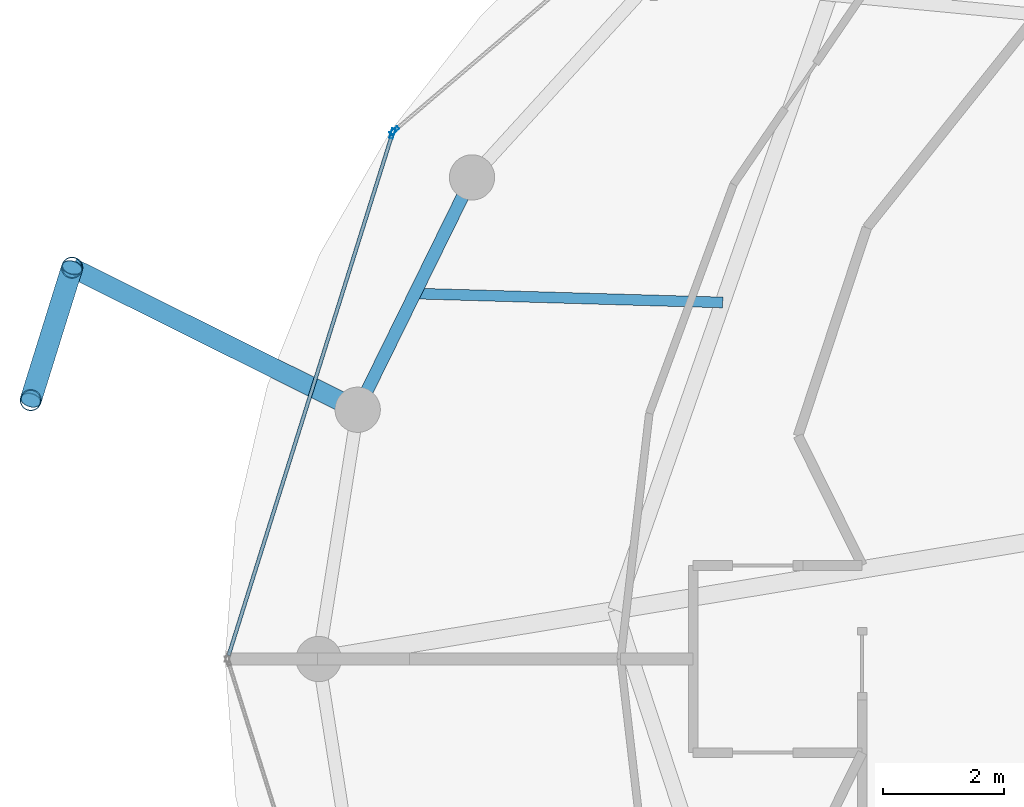
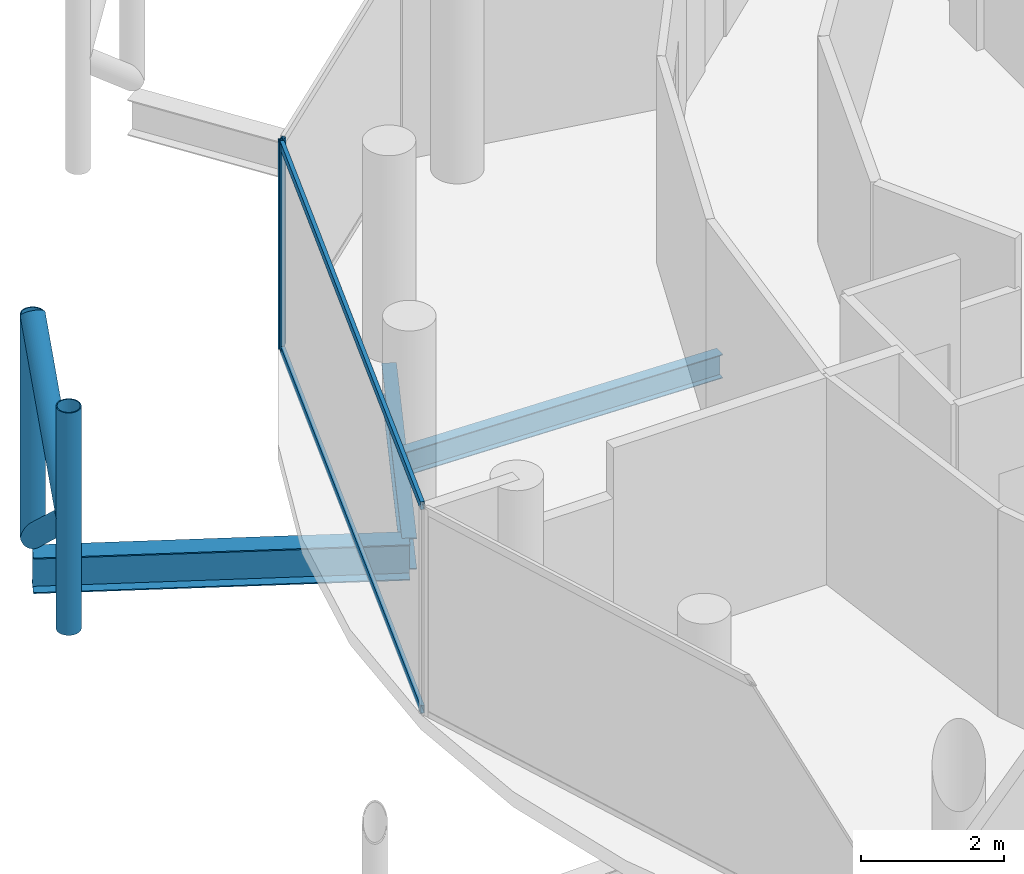
# One storey, part 7 of 24: 8 members, 3 beams, 2 elements without a shape of their own.
"""IFC4 building model written with IfcOpenShell, lengths in metres."""

import ifcopenshell
import ifcopenshell.guid

model = None  # the IFC model being written
_history = None  # IfcOwnerHistory: only IFC2X3 demands one
_inside = {}  # id of a spatial element -> (the spatial element, [elements in it])
_under = {}  # id of a project, library or spatial element -> (it, [spatial elements below it])
_declared = {}  # id of a project -> (the project, [libraries it declares])
_typed = {}  # id of a type object -> (the type object, [elements of that type])
_made_of = {}  # id of a material, layer set ... -> (it, [elements and type objects made of it])


def new_model(schema):
    """Start an empty IFC model of exactly this schema.

    Asked for "IFC4X3", IfcOpenShell would pick the latest addendum, in which some entities
    have other attributes; the version numbers below select the first issue.
    IFC2X3 requires an IfcOwnerHistory on every rooted entity: one is made here for all.
    """
    global model, _history
    if schema == "IFC4X3":
        model = ifcopenshell.file(schema_version=(4, 3, 0, 0))
    else:
        model = ifcopenshell.file(schema=schema)
    _inside.clear()
    _under.clear()
    _declared.clear()
    _typed.clear()
    _made_of.clear()
    _history = None
    if model.schema == "IFC2X3":
        org = make("IfcOrganization", Name="unknown")
        user = make(
            "IfcPersonAndOrganization",
            ThePerson=make("IfcPerson", FamilyName="unknown"),
            TheOrganization=org,
        )
        app = make(
            "IfcApplication",
            ApplicationDeveloper=org,
            Version="unknown",
            ApplicationFullName="unknown",
            ApplicationIdentifier="unknown",
        )
        _history = make(
            "IfcOwnerHistory",
            OwningUser=user,
            OwningApplication=app,
            ChangeAction="ADDED",
            CreationDate=0,
        )
    return model


def make(cls, **values):
    """One entity of the class cls with the attributes given. An attribute that is None is left unset."""
    return model.create_entity(
        cls, **{name: value for name, value in values.items() if value is not None}
    )


def rooted(cls, **values):
    """An entity with a GlobalId (a new one), such as an element, a storey or a relation."""
    return make(cls, GlobalId=ifcopenshell.guid.new(), OwnerHistory=_history, **values)


def si_unit(unit_type, name, prefix=None):
    """IfcSIUnit, for example si_unit("LENGTHUNIT", "METRE", prefix="MILLI")."""
    return make("IfcSIUnit", UnitType=unit_type, Prefix=prefix, Name=name)


def assignment(units):
    """IfcUnitAssignment: the units of a project."""
    return None if units is None else make("IfcUnitAssignment", Units=units)


def point(xyz):
    """IfcCartesianPoint."""
    return None if xyz is None else make("IfcCartesianPoint", Coordinates=xyz)


def direction(xyz):
    """IfcDirection."""
    return None if xyz is None else make("IfcDirection", DirectionRatios=xyz)


def frame(location, z_axis=None, x_axis=None):
    """IfcAxis2Placement3D, a coordinate frame: its origin and axes. An axis left out is left unset."""
    return make(
        "IfcAxis2Placement3D",
        Location=point(location),
        Axis=direction(z_axis),
        RefDirection=direction(x_axis),
    )


def frame_2d(location, x_axis=None):
    """IfcAxis2Placement2D, a coordinate frame in the plane: its origin and x axis."""
    return make(
        "IfcAxis2Placement2D", Location=point(location), RefDirection=direction(x_axis)
    )


def origin():
    """The frame at (0, 0, 0) with its axes left unset."""
    return frame((0.0, 0.0, 0.0))


def origin_2d():
    """The frame at (0, 0) in the plane with its x axis left unset."""
    return frame_2d((0.0, 0.0))


def place(relative_to, where):
    """IfcLocalPlacement: puts the frame where relative to a parent placement (None: the world)."""
    return make(
        "IfcLocalPlacement", PlacementRelTo=relative_to, RelativePlacement=where
    )


def context(
    kind, dimensions, precision=None, world=None, true_north=None, identifier=None
):
    """IfcGeometricRepresentationContext, for example the 3D "Model" context."""
    return make(
        "IfcGeometricRepresentationContext",
        ContextIdentifier=identifier,
        ContextType=kind,
        CoordinateSpaceDimension=dimensions,
        Precision=precision,
        WorldCoordinateSystem=world,
        TrueNorth=true_north,
    )


def subcontext(parent, identifier, kind, view, scale=None):
    """IfcGeometricRepresentationSubContext, for example "Body" below "Model"."""
    return make(
        "IfcGeometricRepresentationSubContext",
        ContextIdentifier=identifier,
        ContextType=kind,
        ParentContext=parent,
        TargetScale=scale,
        TargetView=view,
    )


def project(units=None, contexts=None):
    """IfcProject with its units and contexts."""
    return rooted(
        "IfcProject",
        Name="project",
        RepresentationContexts=contexts,
        UnitsInContext=assignment(units),
    )


def spatial(cls, under=None, at=None, **own):
    """A site, building, storey or space (cls), placed at a placement, below another one or the project."""
    s = rooted(cls, ObjectPlacement=at, **own)
    if under is not None:
        _under.setdefault(under.id(), (under, []))[1].append(s)
    return s


def profile(cls, at=None, kind="AREA", **sizes):
    """A parametric profile (cls). Its sizes go by their IFC names, for example OverallWidth=200.0."""
    return make(cls, ProfileType=kind, Position=at, **sizes)


def hollow_rectangle(**sizes):
    """IfcRectangleHollowProfileDef."""
    return profile("IfcRectangleHollowProfileDef", **sizes)


def hollow_circle(**sizes):
    """IfcCircleHollowProfileDef."""
    return profile("IfcCircleHollowProfileDef", **sizes)


def i_section(**sizes):
    """IfcIShapeProfileDef."""
    return profile("IfcIShapeProfileDef", **sizes)


def extrude(swept, where, along, depth):
    """IfcExtrudedAreaSolid: the profile swept, set in the frame where, extruded along a direction by depth."""
    return make(
        "IfcExtrudedAreaSolid",
        SweptArea=swept,
        Position=where,
        ExtrudedDirection=direction(along),
        Depth=depth,
    )


def shape(context_of_items, identifier, shape_type, items):
    """IfcShapeRepresentation: the items that make up one representation, for example the "Body"."""
    return make(
        "IfcShapeRepresentation",
        ContextOfItems=context_of_items,
        RepresentationIdentifier=identifier,
        RepresentationType=shape_type,
        Items=items,
    )


def material(Name=None, Category=None):
    """IfcMaterial."""
    return make("IfcMaterial", Name=Name, Category=Category)


def layer(
    of_material, thickness, ventilated=None, Name=None, Category=None, Priority=None
):
    """IfcMaterialLayer: one layer of a wall or slab, of a material (None: an air gap)."""
    return make(
        "IfcMaterialLayer",
        Material=of_material,
        LayerThickness=thickness,
        IsVentilated=ventilated,
        Name=Name,
        Category=Category,
        Priority=Priority,
    )


def layer_set(layers, Name=None):
    """IfcMaterialLayerSet."""
    return make("IfcMaterialLayerSet", MaterialLayers=layers, LayerSetName=Name)


def material_profile(
    of_material, cross_section, Name=None, Category=None, Priority=None
):
    """IfcMaterialProfile: a cross section and its material."""
    return make(
        "IfcMaterialProfile",
        Name=Name,
        Material=of_material,
        Profile=cross_section,
        Priority=Priority,
        Category=Category,
    )


def profile_set(profiles, Name=None, composite=None):
    """IfcMaterialProfileSet."""
    return make(
        "IfcMaterialProfileSet",
        Name=Name,
        MaterialProfiles=profiles,
        CompositeProfile=composite,
    )


def made_of(thing, what):
    """Note that an element or type object is made of a material, layer set ...; save() writes the relation."""
    if what is not None:
        _made_of.setdefault(what.id(), (what, []))[1].append(thing)
    return thing


def type_object(cls, material=None, **own):
    """A type object (cls), such as IfcWallType, which elements share."""
    return made_of(rooted(cls, **own), material)


def element(
    cls,
    number,
    at=None,
    inside=None,
    cuts=None,
    type_object=None,
    material=None,
    context=None,
    identifier="Body",
    shape_type=None,
    held_by="IfcProductDefinitionShape",
    body=None,
    shapes=None,
    **own,
):
    """One element of the class cls, such as IfcWall. Its Tag is "e" and its number.

    at: its placement. inside: the storey or other place that contains it. cuts: it is an
    opening in that element (IfcRelVoidsElement). A single representation is given by context,
    identifier, shape_type and body (its items); several are given by shapes. held_by: the class
    of the entity that holds the representations. save() writes the other relations.
    """
    e = rooted(cls, Tag="e%d" % number, ObjectPlacement=at, **own)
    if body is not None:
        shapes = [shape(context, identifier, shape_type, body)]
    if shapes is not None:
        e.Representation = make(held_by, Representations=shapes)
    if inside is not None:
        _inside.setdefault(inside.id(), (inside, []))[1].append(e)
    if cuts is not None:
        rooted(
            "IfcRelVoidsElement", RelatingBuildingElement=cuts, RelatedOpeningElement=e
        )
    if type_object is not None:
        _typed.setdefault(type_object.id(), (type_object, []))[1].append(e)
    return made_of(e, material)


def aggregate(whole, parts):
    """IfcRelAggregates: a whole, such as a stair, and the parts it consists of."""
    return rooted("IfcRelAggregates", RelatingObject=whole, RelatedObjects=parts)


def save(model, path):
    """Write the relations noted so far, then the file.

    IfcRelAggregates (storeys below a building ...), IfcRelContainedInSpatialStructure (elements
    in a storey), IfcRelDefinesByType, IfcRelAssociatesMaterial and IfcRelDeclares: one each for
    every whole, place, type object, material and project.
    """
    for whole, parts in _under.values():
        aggregate(whole, parts)
    for where, things in _inside.values():
        rooted(
            "IfcRelContainedInSpatialStructure",
            RelatedElements=things,
            RelatingStructure=where,
        )
    for kind, things in _typed.values():
        rooted("IfcRelDefinesByType", RelatedObjects=things, RelatingType=kind)
    for what, things in _made_of.values():
        rooted("IfcRelAssociatesMaterial", RelatedObjects=things, RelatingMaterial=what)
    for by, libraries in _declared.values():
        rooted("IfcRelDeclares", RelatingContext=by, RelatedDefinitions=libraries)
    model.write(path)


model = new_model("IFC4")

# Units and contexts
model_context = context("Model", 3, precision=1e-05, world=origin(), true_north=direction((0.0, 1.0)))
body_context = subcontext(model_context, "Body", "Model", "MODEL_VIEW")
ifc_project = project(units=[si_unit("LENGTHUNIT", "METRE"), si_unit("AREAUNIT", "SQUARE_METRE"), si_unit("VOLUMEUNIT", "CUBIC_METRE"), si_unit("PLANEANGLEUNIT", "RADIAN"), si_unit("MASSUNIT", "GRAM", prefix="KILO")], contexts=[model_context])

# Site, building, storey
site_placement = place(None, origin())
site = spatial("IfcSite", under=ifc_project, at=site_placement, CompositionType="ELEMENT")
building_placement = place(site_placement, origin())
building = spatial("IfcBuilding", under=site, at=building_placement, Name="Nuhasar Tower", CompositionType="ELEMENT")
storey_placement = place(building_placement, frame((0.0, 0.0, 293.60009765625)))
storey = spatial("IfcBuildingStorey", under=building, at=storey_placement, Name="L73", CompositionType="ELEMENT", Elevation=293.60009765625)

# Beams
ifc_material_1 = material(Name="Steel S355", Category="steel")
ifc_material_profile_1 = material_profile(ifc_material_1, i_section(OverallWidth=0.177978515625, OverallDepth=0.406005859375, WebThickness=0.0078125, FlangeThickness=0.0126953125, at=origin_2d()), Name="W16X40")
ifc_profile_set_1 = profile_set([ifc_material_profile_1], Name="Steel S355")
beam_type_1 = type_object("IfcBeamType", Name="BM-JST-W16X40", PredefinedType="JOIST", material=ifc_profile_set_1)
beam_1_placement = place(storey_placement, frame((26.739990234375, 32.7041015625, -0.463134765625), z_axis=(-0.999579139243, 0.02900938453, 0.0), x_axis=(-0.02900938453, -0.999579139243, 0.0)))
element("IfcBeam", 1, at=beam_1_placement, inside=storey, type_object=beam_type_1, Name="L73 Secondary Floor Joist 07", PredefinedType="JOIST", context=body_context, shape_type="SweptSolid", body=[
    extrude(i_section(OverallWidth=0.177978515625, OverallDepth=0.406005859375, WebThickness=0.0078125, FlangeThickness=0.0126953125, at=origin_2d()), origin(), (0.0, 0.0, 1.0), 5.10009765625),
])
ifc_material_profile_2 = material_profile(ifc_material_1, i_section(OverallWidth=0.2099609375, OverallDepth=0.537109375, WebThickness=0.010986328125, FlangeThickness=0.017333984375, at=origin_2d()), Name="W21X68")
ifc_profile_set_2 = profile_set([ifc_material_profile_2], Name="Steel S355")
beam_type_2 = type_object("IfcBeamType", Name="BM-RING-W21X68", PredefinedType="SPANDREL", material=ifc_profile_set_2)
beam_2_placement = place(storey_placement, frame((22.589111328125, 34.77490234375, -0.529052734375), z_axis=(-0.441533119295, -0.897244952377, 0.0), x_axis=(0.897244952377, -0.441533119295, 0.0)))
element("IfcBeam", 2, at=beam_2_placement, inside=storey, type_object=beam_type_2, Name="L73 Perimeter Ring Spandrel 11", PredefinedType="SPANDREL", context=body_context, shape_type="SweptSolid", body=[
    extrude(i_section(OverallWidth=0.2099609375, OverallDepth=0.537109375, WebThickness=0.010986328125, FlangeThickness=0.017333984375, at=origin_2d()), origin(), (0.0, 0.0, 1.0), 4.28759765625),
])
ifc_material_profile_3 = material_profile(ifc_material_1, i_section(OverallWidth=0.323974609375, OverallDepth=0.611083984375, WebThickness=0.0126953125, FlangeThickness=0.01904296875, at=origin_2d()), Name="W24X104")
ifc_profile_set_3 = profile_set([ifc_material_profile_3], Name="Steel S355")
beam_type_3 = type_object("IfcBeamType", Name="BM-TIE-W24X104", PredefinedType="BEAM", material=ifc_profile_set_3)
beam_3_placement = place(storey_placement, frame((20.696044921875, 30.927978515625, -0.566162109375), z_axis=(-0.895294451274, 0.445474853969, 0.0), x_axis=(-0.445474853969, -0.895294451274, 0.0)))
element("IfcBeam", 3, at=beam_3_placement, inside=storey, type_object=beam_type_3, Name="L73 Exoskeleton Node Tie Beam 06", PredefinedType="BEAM", context=body_context, shape_type="SweptSolid", body=[
    extrude(i_section(OverallWidth=0.323974609375, OverallDepth=0.611083984375, WebThickness=0.0126953125, FlangeThickness=0.01904296875, at=origin_2d()), origin(), (0.0, 0.0, 1.0), 5.281982421875),
])

# Curtain wall, member
ifc_material_2 = material(Name="Aluminium 6063-T6", Category="aluminium")
ifc_layer = layer(ifc_material_2, 0.18994140625)
ifc_layer_set = layer_set([ifc_layer], Name="Aluminium 6063-T6")
curtain_wall_type = type_object("IfcCurtainWallType", Name="CW-Z4-PEN", PredefinedType="NOTDEFINED", material=ifc_layer_set)
curtain_wall_1_placement = place(storey_placement, origin())
curtain_wall_1 = element("IfcCurtainWall", 4, at=curtain_wall_1_placement, inside=storey, type_object=curtain_wall_type, Name="L73 Unitised Curtain Wall 05", PredefinedType="NOTDEFINED")
ifc_material_profile_4 = material_profile(ifc_material_2, hollow_rectangle(XDim=0.06005859375, YDim=0.1650390625, WallThickness=0.0048828125, at=origin_2d()), Name="CWM-5")
ifc_profile_set_4 = profile_set([ifc_material_profile_4], Name="Aluminium 6063-T6")
member_type_1 = type_object("IfcMemberType", Name="CW-MUL-S5", PredefinedType="MULLION", material=ifc_profile_set_4)
member_1_placement = place(storey_placement, frame((21.3037109375, 35.549560546875, 0.0), z_axis=(0.0, 0.0, 1.0), x_axis=(0.649141996205, -0.760667252327, 0.0)))
member_1 = element("IfcMember", 5, at=member_1_placement, type_object=member_type_1, Name="CW-Z4 mullion 2", PredefinedType="MULLION", context=body_context, shape_type="SweptSolid", body=[
    extrude(hollow_rectangle(XDim=0.06005859375, YDim=0.1650390625, WallThickness=0.0048828125, at=origin_2d()), origin(), (0.0, 0.0, 1.0), 3.539794921875),
])
aggregate(curtain_wall_1, [member_1])

# Curtain wall, members
curtain_wall_2_placement = place(storey_placement, origin())
curtain_wall_2 = element("IfcCurtainWall", 6, at=curtain_wall_2_placement, inside=storey, type_object=curtain_wall_type, Name="L73 Unitised Curtain Wall 06", PredefinedType="NOTDEFINED")
member_2_placement = place(storey_placement, frame((21.27197265625, 35.50146484375, 0.0), z_axis=(0.0, 0.0, 1.0), x_axis=(0.954078526601, -0.299556614146, 0.0)))
member_2 = element("IfcMember", 7, at=member_2_placement, type_object=member_type_1, Name="CW-Z4 mullion 1", PredefinedType="MULLION", context=body_context, shape_type="SweptSolid", body=[
    extrude(hollow_rectangle(XDim=0.06005859375, YDim=0.1650390625, WallThickness=0.0048828125, at=origin_2d()), origin(), (0.0, 0.0, 1.0), 3.539794921875),
])
ifc_material_profile_5 = material_profile(ifc_material_2, hollow_rectangle(XDim=0.06005859375, YDim=0.135009765625, WallThickness=0.00439453125, at=origin_2d()), Name="CWT-5")
ifc_profile_set_5 = profile_set([ifc_material_profile_5], Name="Aluminium 6063-T6")
member_type_2 = type_object("IfcMemberType", Name="CW-TRN-S5", PredefinedType="USERDEFINED", material=ifc_profile_set_5)
member_3_placement = place(storey_placement, frame((21.262939453125, 35.47265625, 0.02978515625), z_axis=(-0.29956014073, -0.954077419335, 0.0), x_axis=(0.954077419335, -0.29956014073, 0.0)))
member_3 = element("IfcMember", 8, at=member_3_placement, type_object=member_type_2, Name="CW-Z4 transom 1.1", ObjectType="TRANSOM", PredefinedType="USERDEFINED", context=body_context, shape_type="SweptSolid", body=[
    extrude(hollow_rectangle(XDim=0.06005859375, YDim=0.135009765625, WallThickness=0.00439453125, at=origin_2d()), origin(), (0.0, 0.0, 1.0), 9.0302734375),
])
member_4_placement = place(storey_placement, frame((21.262939453125, 35.47265625, 3.510009765625), z_axis=(-0.29956014073, -0.954077419335, 0.0), x_axis=(0.954077419335, -0.29956014073, 0.0)))
member_4 = element("IfcMember", 9, at=member_4_placement, type_object=member_type_2, Name="CW-Z4 transom 1.2", ObjectType="TRANSOM", PredefinedType="USERDEFINED", context=body_context, shape_type="SweptSolid", body=[
    extrude(hollow_rectangle(XDim=0.06005859375, YDim=0.135009765625, WallThickness=0.00439453125, at=origin_2d()), origin(), (0.0, 0.0, 1.0), 9.0302734375),
])
aggregate(curtain_wall_2, [member_2, member_3, member_4])

# Members
ifc_material_3 = material(Name="Steel S460", Category="steel")
ifc_material_profile_6 = material_profile(ifc_material_3, hollow_circle(Radius=0.177734375, WallThickness=0.015869140625, at=origin_2d()), Name="HSS355.6X15.9")
ifc_profile_set_6 = profile_set([ifc_material_profile_6], Name="Steel S460")
member_type_3 = type_object("IfcMemberType", Name="EXO-BRONZE-356", PredefinedType="BRACE", material=ifc_profile_set_6)
for number, where, z_axis, x_axis, name in (
    (10, (15.967041015625, 33.281005859375, 0.0), (0.0, 0.0, 1.0), (1.0, 0.0, 0.0), "L73 Exoskeleton Chord Column EC-06A"),
    (11, (15.281982421875, 31.0859375, 0.0), (0.0, 0.0, 1.0), (1.0, 0.0, 0.0), "L73 Exoskeleton Chord Column EC-06B"),
):
    element("IfcMember", number, at=place(storey_placement, frame(where, z_axis=z_axis, x_axis=x_axis)), inside=storey, type_object=member_type_3, Name=name, PredefinedType="BRACE", context=body_context, shape_type="SweptSolid", body=[
        extrude(hollow_circle(Radius=0.177734375, WallThickness=0.015869140625, at=origin_2d()), origin(), (0.0, 0.0, 1.0), 3.7998046875),
    ])
for number, where, z_axis, x_axis, name in (
    (12, (15.967041015625, 33.281005859375, 0.0), (-0.229667527485, -0.735901902929, 0.636946792192), (0.954591372974, -0.297918295247, 0.0), "L73 Bronze Diagrid Brace W1-06"),
    (13, (15.281982421875, 31.0859375, 1.89990234375), (0.229667527485, 0.735901902929, 0.636946792192), (-0.954591372974, 0.297918295247, 0.0), "L73 Bronze Diagrid Brace W2-06"),
):
    element("IfcMember", number, at=place(storey_placement, frame(where, z_axis=z_axis, x_axis=x_axis)), inside=storey, type_object=member_type_3, Name=name, PredefinedType="BRACE", context=body_context, shape_type="SweptSolid", body=[
        extrude(hollow_circle(Radius=0.177734375, WallThickness=0.015869140625, at=origin_2d()), origin(), (0.0, 0.0, 1.0), 2.98291015625),
    ])

save(model, "model.ifc")
